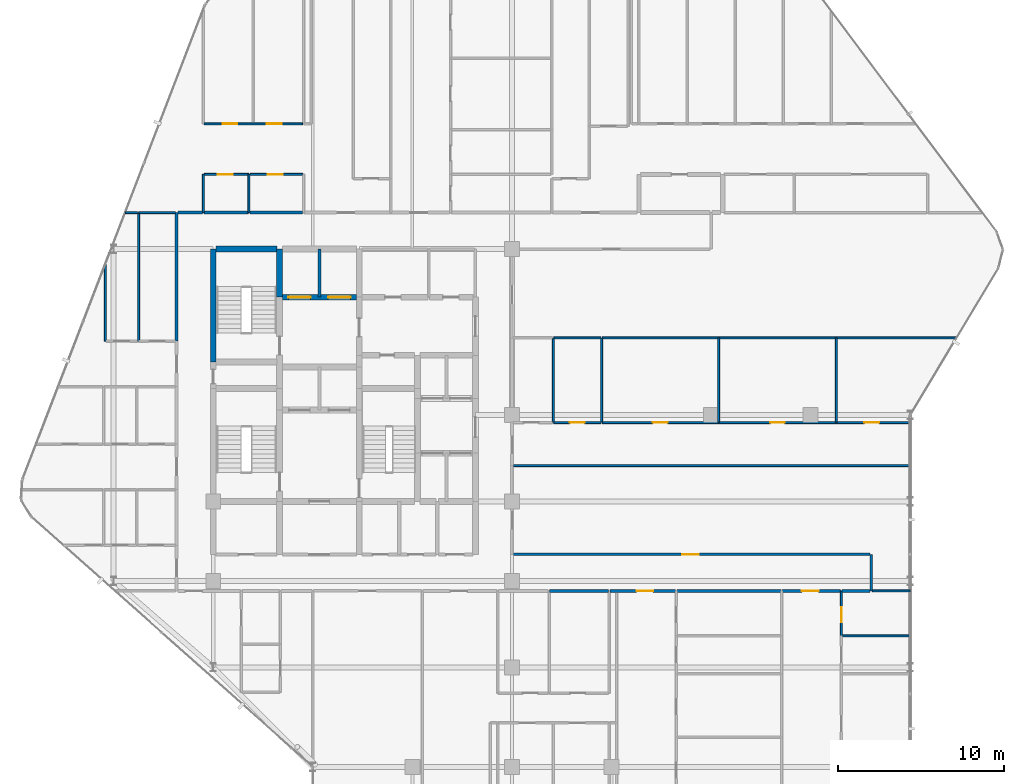
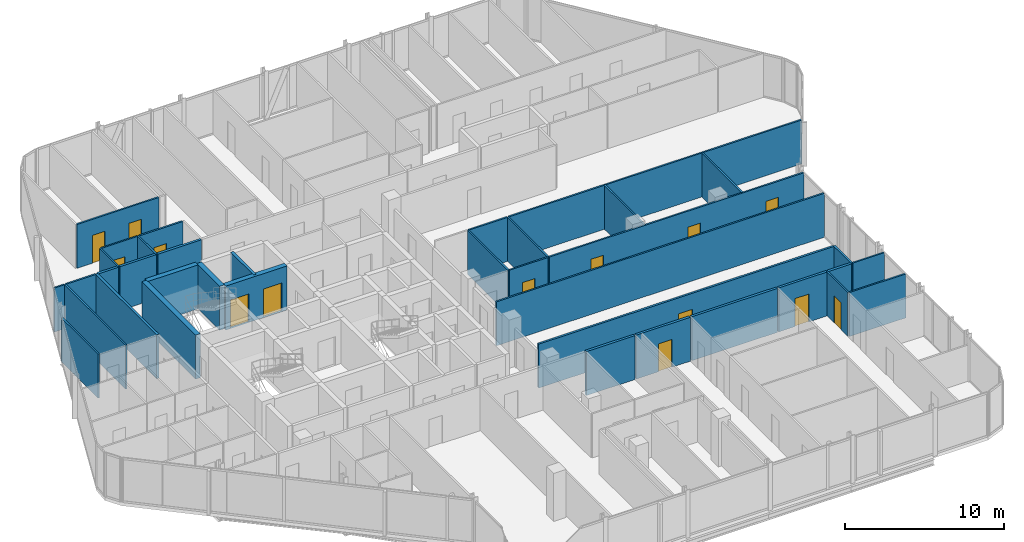
# One storey, part 28 of 31: 37 walls, 14 doors, 14 openings.
"""IFC4 building model written with IfcOpenShell, lengths in metres."""

from ifc_helpers import new_model, si_unit, direction, frame, frame_2d, origin, place, context, subcontext, project, spatial, rectangle, extrude, material, layer, layer_set, type_object, element, fill, save


model = new_model("IFC4")

# Units and contexts
model_context = context("Model", 3, precision=1e-05, world=origin(), true_north=direction((0.0, 1.0)))
body_context = subcontext(model_context, "Body", "Model", "MODEL_VIEW")
ifc_project = project(units=[si_unit("LENGTHUNIT", "METRE"), si_unit("AREAUNIT", "SQUARE_METRE"), si_unit("VOLUMEUNIT", "CUBIC_METRE"), si_unit("PLANEANGLEUNIT", "RADIAN"), si_unit("MASSUNIT", "GRAM", prefix="KILO")], contexts=[model_context])

# Site, building, storey
site_placement = place(None, origin())
site = spatial("IfcSite", under=ifc_project, at=site_placement, CompositionType="ELEMENT")
building_placement = place(site_placement, origin())
building = spatial("IfcBuilding", under=site, at=building_placement, Name="Keshet Zoharim Tower", CompositionType="ELEMENT")
storey_placement = place(building_placement, frame((0.0, 0.0, 133.5)))
storey = spatial("IfcBuildingStorey", under=building, at=storey_placement, Name="L32", CompositionType="ELEMENT", Elevation=133.5)

# Wall
ifc_material_1 = material(Name="Gypsum Plasterboard", Category="gypsum")
ifc_layer_1 = layer(ifc_material_1, 0.14990234375)
ifc_layer_set_1 = layer_set([ifc_layer_1], Name="Gypsum Plasterboard")
wall_type_1 = type_object("IfcWallType", Name="WL-CLIN-150", PredefinedType="STANDARD", material=ifc_layer_set_1)
wall_1_placement = place(storey_placement, frame((54.64990234375, 17.31005859375, 0.0), z_axis=(0.0, 0.0, 1.0), x_axis=(0.0, 1.0, 0.0)))
element("IfcWall", 1, at=wall_1_placement, inside=storey, type_object=wall_type_1, Name="L32 Interior Wall 106", PredefinedType="STANDARD", context=body_context, shape_type="SweptSolid", body=[
    extrude(rectangle(XDim=2.18994140625, YDim=0.14990234375, at=frame_2d((1.094970703125, 0.0))), origin(), (0.0, 0.0, 1.0), 3.385009765625),
])

# Wall, opening, door
wall_2_placement = place(storey_placement, frame((33.070068359375, 19.5, 0.0), z_axis=(0.0, 0.0, 1.0), x_axis=(1.0, 0.0, 0.0)))
wall_2 = element("IfcWall", 2, at=wall_2_placement, inside=storey, type_object=wall_type_1, Name="L32 Interior Wall 139", PredefinedType="STANDARD", context=body_context, shape_type="SweptSolid", body=[
    extrude(rectangle(XDim=21.510009765625, YDim=0.14990234375, at=frame_2d((10.7548828125, 0.0))), origin(), (0.0, 0.0, 1.0), 3.385009765625),
])
opening_1_placement = place(wall_2_placement, frame((10.18505859375, 0.0, 0.0)))
opening_1 = element("IfcOpeningElement", 3, at=opening_1_placement, cuts=wall_2, Name="Opening D-F310", PredefinedType="OPENING", context=body_context, shape_type="SweptSolid", body=[
    extrude(rectangle(XDim=1.0, YDim=2.14990234375, at=frame_2d((0.5, 1.074951171875))), frame((0.0, 0.0849609375, 0.0), z_axis=(0.0, -1.0, 0.0), x_axis=(1.0, 0.0, 0.0)), (0.0, 0.0, 1.0), 0.169921875),
])
ifc_material_2 = material(Name="Hardwood Timber", Category="wood")
door_type_1 = type_object("IfcDoorType", Name="DR-FD30-100", OperationType="NOTDEFINED", PredefinedType="DOOR", material=ifc_material_2)
door_1_placement = place(opening_1_placement, origin())
door_1 = element("IfcDoor", 4, at=door_1_placement, inside=storey, type_object=door_type_1, Name="L32 South East Residents Services Suite Door 1", OperationType="SINGLE_SWING_LEFT", OverallHeight=2.14990234375, OverallWidth=1.0, PredefinedType="DOOR", context=body_context, shape_type="SweptSolid", body=[
    extrude(rectangle(XDim=1.0, YDim=2.14990234375, at=frame_2d((0.5, 1.074951171875))), frame((0.0, 0.02490234375, 0.0), z_axis=(0.0, -1.0, 0.0), x_axis=(1.0, 0.0, 0.0)), (0.0, 0.0, 1.0), 0.050048828125),
])
fill(opening_1, door_1)

# Walls
ifc_material_3 = material(Name="Concrete C60/75", Category="concrete")
ifc_layer_2 = layer(ifc_material_3, 0.35009765625)
ifc_layer_set_2 = layer_set([ifc_layer_2], Name="Concrete C60/75")
wall_type_2 = type_object("IfcWallType", Name="WL-CORE-350", PredefinedType="SHEAR", material=ifc_layer_set_2)
wall_3_placement = place(storey_placement, frame((15.0, 31.10009765625, 0.0), z_axis=(0.0, 0.0, 1.0), x_axis=(0.0, 1.0, 0.0)))
element("IfcWall", 5, at=wall_3_placement, inside=storey, type_object=wall_type_2, Name="L32 Core Shear Wall 018", PredefinedType="SHEAR", context=body_context, shape_type="SweptSolid", body=[
    extrude(rectangle(XDim=6.7998046875, YDim=0.35009765625, at=frame_2d((3.39990234375, 0.0))), origin(), (0.0, 0.0, 1.0), 3.385009765625),
])
wall_4_placement = place(storey_placement, frame((19.0, 35.0, 0.0), z_axis=(0.0, 0.0, 1.0), x_axis=(0.0, 1.0, 0.0)))
element("IfcWall", 6, at=wall_4_placement, inside=storey, type_object=wall_type_2, Name="L32 Core Shear Wall 027", PredefinedType="SHEAR", context=body_context, shape_type="SweptSolid", body=[
    extrude(rectangle(XDim=2.89990234375, YDim=0.35009765625, at=frame_2d((1.449951171875, 0.0))), origin(), (0.0, 0.0, 1.0), 3.385009765625),
])

# Wall, openings, doors
wall_5_placement = place(storey_placement, frame((19.159912109375, 35.0, 0.0), z_axis=(0.0, 0.0, 1.0), x_axis=(1.0, 0.0, 0.0)))
wall_5 = element("IfcWall", 7, at=wall_5_placement, inside=storey, type_object=wall_type_2, Name="L32 Core Shear Wall 175", PredefinedType="SHEAR", context=body_context, shape_type="SweptSolid", body=[
    extrude(rectangle(XDim=4.47998046875, YDim=0.35009765625, at=frame_2d((2.239990234375, 0.0))), origin(), (0.0, 0.0, 1.0), 3.385009765625),
])
opening_2_placement = place(wall_5_placement, frame((0.364990234375, 0.0, 0.0)))
opening_2 = element("IfcOpeningElement", 8, at=opening_2_placement, cuts=wall_5, Name="Opening LD-02", PredefinedType="OPENING", context=body_context, shape_type="SweptSolid", body=[
    extrude(rectangle(XDim=1.35009765625, YDim=2.199951171875, at=frame_2d((0.675048828125, 1.10009765625))), frame((0.0, 0.18505859375, 0.0), z_axis=(0.0, -1.0, 0.0), x_axis=(1.0, 0.0, 0.0)), (0.0, 0.0, 1.0), 0.3701171875),
])
opening_3_placement = place(wall_5_placement, frame((2.764892578125, 0.0, 0.0)))
opening_3 = element("IfcOpeningElement", 9, at=opening_3_placement, cuts=wall_5, Name="Opening LD-02", PredefinedType="OPENING", context=body_context, shape_type="SweptSolid", body=[
    extrude(rectangle(XDim=1.35009765625, YDim=2.199951171875, at=frame_2d((0.675048828125, 1.10009765625))), frame((0.0, 0.18505859375, 0.0), z_axis=(0.0, -1.0, 0.0), x_axis=(1.0, 0.0, 0.0)), (0.0, 0.0, 1.0), 0.3701171875),
])
ifc_material_4 = material(Name="Steel S355", Category="steel")
door_type_2 = type_object("IfcDoorType", Name="DR-LD02-135", OperationType="DOUBLE_DOOR_SLIDING", PredefinedType="DOOR", material=ifc_material_4)
door_2_placement = place(opening_2_placement, origin())
door_2 = element("IfcDoor", 10, at=door_2_placement, inside=storey, type_object=door_type_2, Name="L32 Firefighting Lift Landing Door FF-01", OperationType="DOUBLE_DOOR_SLIDING", OverallHeight=2.199951171875, OverallWidth=1.35009765625, PredefinedType="DOOR", context=body_context, shape_type="SweptSolid", body=[
    extrude(rectangle(XDim=1.35009765625, YDim=2.199951171875, at=frame_2d((0.675048828125, 1.10009765625))), frame((0.0, 0.02490234375, 0.0), z_axis=(0.0, -1.0, 0.0), x_axis=(1.0, 0.0, 0.0)), (0.0, 0.0, 1.0), 0.050048828125),
])
fill(opening_2, door_2)
door_3_placement = place(opening_3_placement, origin())
door_3 = element("IfcDoor", 11, at=door_3_placement, inside=storey, type_object=door_type_2, Name="L32 Firefighting Lift Landing Door FF-02", OperationType="DOUBLE_DOOR_SLIDING", OverallHeight=2.199951171875, OverallWidth=1.35009765625, PredefinedType="DOOR", context=body_context, shape_type="SweptSolid", body=[
    extrude(rectangle(XDim=1.35009765625, YDim=2.199951171875, at=frame_2d((0.675048828125, 1.10009765625))), frame((0.0, 0.02490234375, 0.0), z_axis=(0.0, -1.0, 0.0), x_axis=(1.0, 0.0, 0.0)), (0.0, 0.0, 1.0), 0.050048828125),
])
fill(opening_3, door_3)

# Walls
wall_6_placement = place(storey_placement, frame((15.159912109375, 37.89990234375, 0.0), z_axis=(0.0, 0.0, 1.0), x_axis=(1.0, 0.0, 0.0)))
element("IfcWall", 12, at=wall_6_placement, inside=storey, type_object=wall_type_2, Name="L32 Core Shear Wall 178", PredefinedType="SHEAR", context=body_context, shape_type="SweptSolid", body=[
    extrude(rectangle(XDim=3.68017578125, YDim=0.35009765625, at=frame_2d((1.840087890625, 0.0))), origin(), (0.0, 0.0, 1.0), 3.385009765625),
])
ifc_layer_3 = layer(ifc_material_1, 0.179931640625)
ifc_layer_set_3 = layer_set([ifc_layer_3], Name="Gypsum Plasterboard")
wall_type_3 = type_object("IfcWallType", Name="WL-CORR-180", PredefinedType="STANDARD", material=ifc_layer_set_3)
wall_7_placement = place(storey_placement, frame((12.800048828125, 32.360107421875, 0.0), z_axis=(0.0, 0.0, 1.0), x_axis=(0.0, 1.0, 0.0)))
element("IfcWall", 13, at=wall_7_placement, inside=storey, type_object=wall_type_3, Name="L32 Interior Wall 012", PredefinedType="STANDARD", context=body_context, shape_type="SweptSolid", body=[
    extrude(rectangle(XDim=7.739990234375, YDim=0.179931640625, at=frame_2d((3.8701171875, 0.0))), origin(), (0.0, 0.0, 1.0), 3.385009765625),
])
wall_8_placement = place(storey_placement, frame((35.27197265625, 17.300048828125, 0.0), z_axis=(0.0, 0.0, 1.0), x_axis=(1.0, 0.0, 0.0)))
element("IfcWall", 14, at=wall_8_placement, inside=storey, type_object=wall_type_3, Name="L32 Interior Wall 129", PredefinedType="STANDARD", context=body_context, shape_type="SweptSolid", body=[
    extrude(rectangle(XDim=3.532958984375, YDim=0.179931640625, at=frame_2d((1.7666015625, 0.0))), origin(), (0.0, 0.0, 1.0), 3.385009765625),
])

# Wall, opening, door
wall_9_placement = place(storey_placement, frame((38.89501953125, 17.300048828125, 0.0), z_axis=(0.0, 0.0, 1.0), x_axis=(1.0, 0.0, 0.0)))
wall_9 = element("IfcWall", 15, at=wall_9_placement, inside=storey, type_object=wall_type_3, Name="L32 Interior Wall 130", PredefinedType="STANDARD", context=body_context, shape_type="SweptSolid", body=[
    extrude(rectangle(XDim=3.9599609375, YDim=0.179931640625, at=frame_2d((1.97998046875, 0.0))), origin(), (0.0, 0.0, 1.0), 3.385009765625),
])
opening_4_placement = place(wall_9_placement, frame((1.60888671875, 0.0, 0.0)))
opening_4 = element("IfcOpeningElement", 16, at=opening_4_placement, cuts=wall_9, Name="Opening D-F310", PredefinedType="OPENING", context=body_context, shape_type="SweptSolid", body=[
    extrude(rectangle(XDim=1.0, YDim=2.14990234375, at=frame_2d((0.5, 1.074951171875))), frame((0.0, 0.10009765625, 0.0), z_axis=(0.0, -1.0, 0.0), x_axis=(1.0, 0.0, 0.0)), (0.0, 0.0, 1.0), 0.199951171875),
])
door_4_placement = place(opening_4_placement, origin())
door_4 = element("IfcDoor", 17, at=door_4_placement, inside=storey, type_object=door_type_1, Name="Apartment 3203 Entrance Door", OperationType="SINGLE_SWING_RIGHT", OverallHeight=2.14990234375, OverallWidth=1.0, PredefinedType="DOOR", context=body_context, shape_type="SweptSolid", body=[
    extrude(rectangle(XDim=1.0, YDim=2.14990234375, at=frame_2d((0.5, 1.074951171875))), frame((0.0, 0.02490234375, 0.0), z_axis=(0.0, -1.0, 0.0), x_axis=(1.0, 0.0, 0.0)), (0.0, 0.0, 1.0), 0.050048828125),
])
fill(opening_4, door_4)

# Wall
wall_10_placement = place(storey_placement, frame((42.945068359375, 17.300048828125, 0.0), z_axis=(0.0, 0.0, 1.0), x_axis=(1.0, 0.0, 0.0)))
element("IfcWall", 18, at=wall_10_placement, inside=storey, type_object=wall_type_3, Name="L32 Interior Wall 131", PredefinedType="STANDARD", context=body_context, shape_type="SweptSolid", body=[
    extrude(rectangle(XDim=6.25, YDim=0.179931640625, at=frame_2d((3.125, 0.0))), origin(), (0.0, 0.0, 1.0), 3.385009765625),
])

# Wall, opening, door
wall_11_placement = place(storey_placement, frame((49.284912109375, 17.300048828125, 0.0), z_axis=(0.0, 0.0, 1.0), x_axis=(1.0, 0.0, 0.0)))
wall_11 = element("IfcWall", 19, at=wall_11_placement, inside=storey, type_object=wall_type_3, Name="L32 Interior Wall 132", PredefinedType="STANDARD", context=body_context, shape_type="SweptSolid", body=[
    extrude(rectangle(XDim=3.510009765625, YDim=0.179931640625, at=frame_2d((1.7548828125, 0.0))), origin(), (0.0, 0.0, 1.0), 3.385009765625),
])
opening_5_placement = place(wall_11_placement, frame((1.18505859375, 0.0, 0.0)))
opening_5 = element("IfcOpeningElement", 20, at=opening_5_placement, cuts=wall_11, Name="Opening D-F310", PredefinedType="OPENING", context=body_context, shape_type="SweptSolid", body=[
    extrude(rectangle(XDim=1.0, YDim=2.14990234375, at=frame_2d((0.5, 1.074951171875))), frame((0.0, 0.10009765625, 0.0), z_axis=(0.0, -1.0, 0.0), x_axis=(1.0, 0.0, 0.0)), (0.0, 0.0, 1.0), 0.199951171875),
])
door_5_placement = place(opening_5_placement, origin())
door_5 = element("IfcDoor", 21, at=door_5_placement, inside=storey, type_object=door_type_1, Name="Apartment 3204 Entrance Door", OperationType="SINGLE_SWING_LEFT", OverallHeight=2.14990234375, OverallWidth=1.0, PredefinedType="DOOR", context=body_context, shape_type="SweptSolid", body=[
    extrude(rectangle(XDim=1.0, YDim=2.14990234375, at=frame_2d((0.5, 1.074951171875))), frame((0.0, 0.02490234375, 0.0), z_axis=(0.0, -1.0, 0.0), x_axis=(1.0, 0.0, 0.0)), (0.0, 0.0, 1.0), 0.050048828125),
])
fill(opening_5, door_5)

# Walls
wall_12_placement = place(storey_placement, frame((52.885009765625, 17.300048828125, 0.0), z_axis=(0.0, 0.0, 1.0), x_axis=(1.0, 0.0, 0.0)))
element("IfcWall", 22, at=wall_12_placement, inside=storey, type_object=wall_type_3, Name="L32 Interior Wall 133", PredefinedType="STANDARD", context=body_context, shape_type="SweptSolid", body=[
    extrude(rectangle(XDim=1.695068359375, YDim=0.179931640625, at=frame_2d((0.84765625, 0.0))), origin(), (0.0, 0.0, 1.0), 3.385009765625),
])
wall_13_placement = place(storey_placement, frame((12.875, 40.10009765625, 0.0), z_axis=(0.0, 0.0, 1.0), x_axis=(1.0, 0.0, 0.0)))
element("IfcWall", 23, at=wall_13_placement, inside=storey, type_object=wall_type_3, Name="L32 Interior Wall 185", PredefinedType="STANDARD", context=body_context, shape_type="SweptSolid", body=[
    extrude(rectangle(XDim=1.47998046875, YDim=0.179931640625, at=frame_2d((0.739990234375, 0.0))), origin(), (0.0, 0.0, 1.0), 3.385009765625),
])
wall_14_placement = place(storey_placement, frame((14.445068359375, 40.10009765625, 0.0), z_axis=(0.0, 0.0, 1.0), x_axis=(1.0, 0.0, 0.0)))
element("IfcWall", 24, at=wall_14_placement, inside=storey, type_object=wall_type_3, Name="L32 Interior Wall 186", PredefinedType="STANDARD", context=body_context, shape_type="SweptSolid", body=[
    extrude(rectangle(XDim=2.683837890625, YDim=0.179931640625, at=frame_2d((1.341796875, 0.0))), origin(), (0.0, 0.0, 1.0), 3.385009765625),
])
wall_15_placement = place(storey_placement, frame((17.218994140625, 40.10009765625, 0.0), z_axis=(0.0, 0.0, 1.0), x_axis=(1.0, 0.0, 0.0)))
element("IfcWall", 25, at=wall_15_placement, inside=storey, type_object=wall_type_3, Name="L32 Interior Wall 187", PredefinedType="STANDARD", context=body_context, shape_type="SweptSolid", body=[
    extrude(rectangle(XDim=3.166015625, YDim=0.179931640625, at=frame_2d((1.5830078125, 0.0))), origin(), (0.0, 0.0, 1.0), 3.385009765625),
])
ifc_material_5 = material(Name="Concrete C50/60", Category="concrete")
ifc_layer_4 = layer(ifc_material_5, 0.199951171875)
ifc_layer_set_4 = layer_set([ifc_layer_4], Name="Concrete C50/60")
wall_type_4 = type_object("IfcWallType", Name="WL-FIRE-200", PredefinedType="STANDARD", material=ifc_layer_set_4)
wall_16_placement = place(storey_placement, frame((21.39990234375, 35.0, 0.0), z_axis=(0.0, 0.0, 1.0), x_axis=(0.0, 1.0, 0.0)))
element("IfcWall", 26, at=wall_16_placement, inside=storey, type_object=wall_type_4, Name="L32 Interior Wall 035", PredefinedType="STANDARD", context=body_context, shape_type="SweptSolid", body=[
    extrude(rectangle(XDim=2.89990234375, YDim=0.199951171875, at=frame_2d((1.449951171875, 0.0))), origin(), (0.0, 0.0, 1.0), 3.385009765625),
])
ifc_layer_5 = layer(ifc_material_1, 0.1201171875)
ifc_layer_set_5 = layer_set([ifc_layer_5], Name="Gypsum Plasterboard")
wall_type_5 = type_object("IfcWallType", Name="WL-PART-120", PredefinedType="PARTITIONING", material=ifc_layer_set_5)
wall_17_placement = place(storey_placement, frame((8.5, 32.360107421875, 0.0), z_axis=(0.0, 0.0, 1.0), x_axis=(0.0, 1.0, 0.0)))
element("IfcWall", 27, at=wall_17_placement, inside=storey, type_object=wall_type_5, Name="L32 Interior Wall 003", PredefinedType="PARTITIONING", context=body_context, shape_type="SweptSolid", body=[
    extrude(rectangle(XDim=4.6298828125, YDim=0.1201171875, at=frame_2d((2.31494140625, 0.0))), origin(), (0.0, 0.0, 1.0), 3.385009765625),
])
wall_18_placement = place(storey_placement, frame((14.39990234375, 40.10009765625, 0.0), z_axis=(0.0, 0.0, 1.0), x_axis=(0.0, 1.0, 0.0)))
element("IfcWall", 28, at=wall_18_placement, inside=storey, type_object=wall_type_5, Name="L32 Interior Wall 013", PredefinedType="PARTITIONING", context=body_context, shape_type="SweptSolid", body=[
    extrude(rectangle(XDim=2.2998046875, YDim=0.1201171875, at=frame_2d((1.14990234375, 0.0))), origin(), (0.0, 0.0, 1.0), 3.385009765625),
])
for number, where, z_axis, x_axis, name in (
    (29, (45.449951171875, 27.469970703125, 0.0), (0.0, 0.0, 1.0), (0.0, 1.0, 0.0), "L32 Interior Wall 093"),
    (30, (52.550048828125, 27.469970703125, 0.0), (0.0, 0.0, 1.0), (0.0, 1.0, 0.0), "L32 Interior Wall 102"),
):
    element("IfcWall", number, at=place(storey_placement, frame(where, z_axis=z_axis, x_axis=x_axis)), inside=storey, type_object=wall_type_5, Name=name, PredefinedType="PARTITIONING", context=body_context, shape_type="SweptSolid", body=[
        extrude(rectangle(XDim=5.070068359375, YDim=0.1201171875, at=frame_2d((2.53515625, 0.0))), origin(), (0.0, 0.0, 1.0), 3.385009765625),
    ])
wall_19_placement = place(storey_placement, frame((33.0849609375, 24.85009765625, 0.0), z_axis=(0.0, 0.0, 1.0), x_axis=(1.0, 0.0, 0.0)))
element("IfcWall", 31, at=wall_19_placement, inside=storey, type_object=wall_type_5, Name="L32 Interior Wall 151", PredefinedType="PARTITIONING", context=body_context, shape_type="SweptSolid", body=[
    extrude(rectangle(XDim=23.905029296875, YDim=0.1201171875, at=frame_2d((11.95263671875, 0.0))), origin(), (0.0, 0.0, 1.0), 3.385009765625),
])

# Wall, openings, doors
wall_20_placement = place(storey_placement, frame((38.445068359375, 27.449951171875, 0.0), z_axis=(0.0, 0.0, 1.0), x_axis=(1.0, 0.0, 0.0)))
wall_20 = element("IfcWall", 32, at=wall_20_placement, inside=storey, type_object=wall_type_5, Name="L32 Interior Wall 158", PredefinedType="PARTITIONING", context=body_context, shape_type="SweptSolid", body=[
    extrude(rectangle(XDim=18.544921875, YDim=0.1201171875, at=frame_2d((9.2724609375, 0.0))), origin(), (0.0, 0.0, 1.0), 3.385009765625),
])
opening_6_placement = place(wall_20_placement, frame((3.0419921875, 0.0, 0.0)))
opening_6 = element("IfcOpeningElement", 33, at=opening_6_placement, cuts=wall_20, Name="Opening D-IN90", PredefinedType="OPENING", context=body_context, shape_type="SweptSolid", body=[
    extrude(rectangle(XDim=0.89990234375, YDim=2.14990234375, at=frame_2d((0.449951171875, 1.074951171875))), frame((0.0, 0.070068359375, 0.0), z_axis=(0.0, -1.0, 0.0), x_axis=(1.0, 0.0, 0.0)), (0.0, 0.0, 1.0), 0.14013671875),
])
opening_7_placement = place(wall_20_placement, frame((10.10302734375, 0.0, 0.0)))
opening_7 = element("IfcOpeningElement", 34, at=opening_7_placement, cuts=wall_20, Name="Opening D-IN90", PredefinedType="OPENING", context=body_context, shape_type="SweptSolid", body=[
    extrude(rectangle(XDim=0.89990234375, YDim=2.14990234375, at=frame_2d((0.449951171875, 1.074951171875))), frame((0.0, 0.070068359375, 0.0), z_axis=(0.0, -1.0, 0.0), x_axis=(1.0, 0.0, 0.0)), (0.0, 0.0, 1.0), 0.14013671875),
])
opening_8_placement = place(wall_20_placement, frame((15.791015625, 0.0, 0.0)))
opening_8 = element("IfcOpeningElement", 35, at=opening_8_placement, cuts=wall_20, Name="Opening D-IN90", PredefinedType="OPENING", context=body_context, shape_type="SweptSolid", body=[
    extrude(rectangle(XDim=0.89990234375, YDim=2.14990234375, at=frame_2d((0.449951171875, 1.074951171875))), frame((0.0, 0.070068359375, 0.0), z_axis=(0.0, -1.0, 0.0), x_axis=(1.0, 0.0, 0.0)), (0.0, 0.0, 1.0), 0.14013671875),
])
door_type_3 = type_object("IfcDoorType", Name="DR-INT-090", OperationType="NOTDEFINED", PredefinedType="DOOR", material=ifc_material_2)
door_6_placement = place(opening_6_placement, origin())
door_6 = element("IfcDoor", 36, at=door_6_placement, inside=storey, type_object=door_type_3, Name="Apartment 3211 Bedroom 1 Door", OperationType="SINGLE_SWING_LEFT", OverallHeight=2.14990234375, OverallWidth=0.89990234375, PredefinedType="DOOR", context=body_context, shape_type="SweptSolid", body=[
    extrude(rectangle(XDim=0.89990234375, YDim=2.14990234375, at=frame_2d((0.449951171875, 1.074951171875))), frame((0.0, 0.02490234375, 0.0), z_axis=(0.0, -1.0, 0.0), x_axis=(1.0, 0.0, 0.0)), (0.0, 0.0, 1.0), 0.050048828125),
])
fill(opening_6, door_6)
door_7_placement = place(opening_7_placement, origin())
door_7 = element("IfcDoor", 37, at=door_7_placement, inside=storey, type_object=door_type_3, Name="Apartment 3211 Bedroom 2 Door", OperationType="SINGLE_SWING_RIGHT", OverallHeight=2.14990234375, OverallWidth=0.89990234375, PredefinedType="DOOR", context=body_context, shape_type="SweptSolid", body=[
    extrude(rectangle(XDim=0.89990234375, YDim=2.14990234375, at=frame_2d((0.449951171875, 1.074951171875))), frame((0.0, 0.02490234375, 0.0), z_axis=(0.0, -1.0, 0.0), x_axis=(1.0, 0.0, 0.0)), (0.0, 0.0, 1.0), 0.050048828125),
])
fill(opening_7, door_7)
door_8_placement = place(opening_8_placement, origin())
door_8 = element("IfcDoor", 38, at=door_8_placement, inside=storey, type_object=door_type_3, Name="Apartment 3211 Bedroom 3 Door", OperationType="SINGLE_SWING_LEFT", OverallHeight=2.14990234375, OverallWidth=0.89990234375, PredefinedType="DOOR", context=body_context, shape_type="SweptSolid", body=[
    extrude(rectangle(XDim=0.89990234375, YDim=2.14990234375, at=frame_2d((0.449951171875, 1.074951171875))), frame((0.0, 0.02490234375, 0.0), z_axis=(0.0, -1.0, 0.0), x_axis=(1.0, 0.0, 0.0)), (0.0, 0.0, 1.0), 0.050048828125),
])
fill(opening_8, door_8)

# Walls
wall_21_placement = place(storey_placement, frame((38.445068359375, 32.550048828125, 0.0), z_axis=(0.0, 0.0, 1.0), x_axis=(1.0, 0.0, 0.0)))
element("IfcWall", 39, at=wall_21_placement, inside=storey, type_object=wall_type_5, Name="L32 Interior Wall 174", PredefinedType="PARTITIONING", context=body_context, shape_type="SweptSolid", body=[
    extrude(rectangle(XDim=21.3349609375, YDim=0.1201171875, at=frame_2d((10.66748046875, 0.0))), origin(), (0.0, 0.0, 1.0), 3.385009765625),
])
wall_22_placement = place(storey_placement, frame((9.701904296875, 40.10009765625, 0.0), z_axis=(0.0, 0.0, 1.0), x_axis=(1.0, 0.0, 0.0)))
element("IfcWall", 40, at=wall_22_placement, inside=storey, type_object=wall_type_5, Name="L32 Interior Wall 183", PredefinedType="PARTITIONING", context=body_context, shape_type="SweptSolid", body=[
    extrude(rectangle(XDim=0.731201171875, YDim=0.1201171875, at=frame_2d((0.36572265625, 0.0))), origin(), (0.0, 0.0, 1.0), 3.385009765625),
])

# Wall, opening, door
wall_23_placement = place(storey_placement, frame((14.445068359375, 42.39990234375, 0.0), z_axis=(0.0, 0.0, 1.0), x_axis=(1.0, 0.0, 0.0)))
wall_23 = element("IfcWall", 41, at=wall_23_placement, inside=storey, type_object=wall_type_5, Name="L32 Interior Wall 198", PredefinedType="PARTITIONING", context=body_context, shape_type="SweptSolid", body=[
    extrude(rectangle(XDim=2.683837890625, YDim=0.1201171875, at=frame_2d((1.341796875, 0.0))), origin(), (0.0, 0.0, 1.0), 3.385009765625),
])
opening_9_placement = place(wall_23_placement, frame((0.81689453125, 0.0, 0.0)))
opening_9 = element("IfcOpeningElement", 42, at=opening_9_placement, cuts=wall_23, Name="Opening D-IN90", PredefinedType="OPENING", context=body_context, shape_type="SweptSolid", body=[
    extrude(rectangle(XDim=0.89990234375, YDim=2.14990234375, at=frame_2d((0.449951171875, 1.074951171875))), frame((0.0, 0.070068359375, 0.0), z_axis=(0.0, -1.0, 0.0), x_axis=(1.0, 0.0, 0.0)), (0.0, 0.0, 1.0), 0.14013671875),
])
door_9_placement = place(opening_9_placement, origin())
door_9 = element("IfcDoor", 43, at=door_9_placement, inside=storey, type_object=door_type_3, Name="Apartment 3205 Kitchen Door", OperationType="SINGLE_SWING_LEFT", OverallHeight=2.14990234375, OverallWidth=0.89990234375, PredefinedType="DOOR", context=body_context, shape_type="SweptSolid", body=[
    extrude(rectangle(XDim=0.89990234375, YDim=2.14990234375, at=frame_2d((0.449951171875, 1.074951171875))), frame((0.0, 0.02490234375, 0.0), z_axis=(0.0, -1.0, 0.0), x_axis=(1.0, 0.0, 0.0)), (0.0, 0.0, 1.0), 0.050048828125),
])
fill(opening_9, door_9)

# Wall, openings, doors
wall_24_placement = place(storey_placement, frame((14.445068359375, 45.449951171875, 0.0), z_axis=(0.0, 0.0, 1.0), x_axis=(1.0, 0.0, 0.0)))
wall_24 = element("IfcWall", 44, at=wall_24_placement, inside=storey, type_object=wall_type_5, Name="L32 Interior Wall 206", PredefinedType="PARTITIONING", context=body_context, shape_type="SweptSolid", body=[
    extrude(rectangle(XDim=5.93994140625, YDim=0.1201171875, at=frame_2d((2.969970703125, 0.0))), origin(), (0.0, 0.0, 1.0), 3.385009765625),
])
opening_10_placement = place(wall_24_placement, frame((1.116943359375, 0.0, 0.0)))
opening_10 = element("IfcOpeningElement", 45, at=opening_10_placement, cuts=wall_24, Name="Opening D-IN90", PredefinedType="OPENING", context=body_context, shape_type="SweptSolid", body=[
    extrude(rectangle(XDim=0.89990234375, YDim=2.14990234375, at=frame_2d((0.449951171875, 1.074951171875))), frame((0.0, 0.070068359375, 0.0), z_axis=(0.0, -1.0, 0.0), x_axis=(1.0, 0.0, 0.0)), (0.0, 0.0, 1.0), 0.14013671875),
])
opening_11_placement = place(wall_24_placement, frame((3.781982421875, 0.0, 0.0)))
opening_11 = element("IfcOpeningElement", 46, at=opening_11_placement, cuts=wall_24, Name="Opening D-IN90", PredefinedType="OPENING", context=body_context, shape_type="SweptSolid", body=[
    extrude(rectangle(XDim=0.89990234375, YDim=2.14990234375, at=frame_2d((0.449951171875, 1.074951171875))), frame((0.0, 0.070068359375, 0.0), z_axis=(0.0, -1.0, 0.0), x_axis=(1.0, 0.0, 0.0)), (0.0, 0.0, 1.0), 0.14013671875),
])
door_10_placement = place(opening_10_placement, origin())
door_10 = element("IfcDoor", 47, at=door_10_placement, inside=storey, type_object=door_type_3, Name="Apartment 3205 Bedroom 1 Door", OperationType="SINGLE_SWING_LEFT", OverallHeight=2.14990234375, OverallWidth=0.89990234375, PredefinedType="DOOR", context=body_context, shape_type="SweptSolid", body=[
    extrude(rectangle(XDim=0.89990234375, YDim=2.14990234375, at=frame_2d((0.449951171875, 1.074951171875))), frame((0.0, 0.02490234375, 0.0), z_axis=(0.0, -1.0, 0.0), x_axis=(1.0, 0.0, 0.0)), (0.0, 0.0, 1.0), 0.050048828125),
])
fill(opening_10, door_10)
door_11_placement = place(opening_11_placement, origin())
door_11 = element("IfcDoor", 48, at=door_11_placement, inside=storey, type_object=door_type_3, Name="Apartment 3205 Bedroom 2 Door", OperationType="SINGLE_SWING_RIGHT", OverallHeight=2.14990234375, OverallWidth=0.89990234375, PredefinedType="DOOR", context=body_context, shape_type="SweptSolid", body=[
    extrude(rectangle(XDim=0.89990234375, YDim=2.14990234375, at=frame_2d((0.449951171875, 1.074951171875))), frame((0.0, 0.02490234375, 0.0), z_axis=(0.0, -1.0, 0.0), x_axis=(1.0, 0.0, 0.0)), (0.0, 0.0, 1.0), 0.050048828125),
])
fill(opening_11, door_11)

# Walls
ifc_layer_6 = layer(ifc_material_1, 0.1201171875)
ifc_layer_set_6 = layer_set([ifc_layer_6], Name="Gypsum Plasterboard")
wall_type_6 = type_object("IfcWallType", Name="WL-WET-120", PredefinedType="PARTITIONING", material=ifc_layer_set_6)
wall_25_placement = place(storey_placement, frame((10.5, 32.360107421875, 0.0), z_axis=(0.0, 0.0, 1.0), x_axis=(0.0, 1.0, 0.0)))
element("IfcWall", 49, at=wall_25_placement, inside=storey, type_object=wall_type_6, Name="L32 Interior Wall 006", PredefinedType="PARTITIONING", context=body_context, shape_type="SweptSolid", body=[
    extrude(rectangle(XDim=7.739990234375, YDim=0.1201171875, at=frame_2d((3.8701171875, 0.0))), origin(), (0.0, 0.0, 1.0), 3.385009765625),
])
wall_26_placement = place(storey_placement, frame((17.14990234375, 40.10009765625, 0.0), z_axis=(0.0, 0.0, 1.0), x_axis=(0.0, 1.0, 0.0)))
element("IfcWall", 50, at=wall_26_placement, inside=storey, type_object=wall_type_6, Name="L32 Interior Wall 021", PredefinedType="PARTITIONING", context=body_context, shape_type="SweptSolid", body=[
    extrude(rectangle(XDim=2.2998046875, YDim=0.1201171875, at=frame_2d((1.14990234375, 0.0))), origin(), (0.0, 0.0, 1.0), 3.385009765625),
])
for number, where, z_axis, x_axis, name in (
    (51, (35.5, 27.469970703125, 0.0), (0.0, 0.0, 1.0), (0.0, 1.0, 0.0), "L32 Interior Wall 077"),
    (52, (38.39990234375, 27.469970703125, 0.0), (0.0, 0.0, 1.0), (0.0, 1.0, 0.0), "L32 Interior Wall 080"),
):
    element("IfcWall", number, at=place(storey_placement, frame(where, z_axis=z_axis, x_axis=x_axis)), inside=storey, type_object=wall_type_6, Name=name, PredefinedType="PARTITIONING", context=body_context, shape_type="SweptSolid", body=[
        extrude(rectangle(XDim=5.070068359375, YDim=0.1201171875, at=frame_2d((2.53515625, 0.0))), origin(), (0.0, 0.0, 1.0), 3.385009765625),
    ])

# Wall, opening, door
wall_27_placement = place(storey_placement, frame((52.85009765625, 14.60009765625, 0.0), z_axis=(0.0, 0.0, 1.0), x_axis=(0.0, 1.0, 0.0)))
wall_27 = element("IfcWall", 53, at=wall_27_placement, inside=storey, type_object=wall_type_6, Name="L32 Interior Wall 105", PredefinedType="PARTITIONING", context=body_context, shape_type="SweptSolid", body=[
    extrude(rectangle(XDim=2.699951171875, YDim=0.1201171875, at=frame_2d((1.35009765625, 0.0))), origin(), (0.0, 0.0, 1.0), 3.385009765625),
])
opening_12_placement = place(wall_27_placement, frame((0.827880859375, 0.0, 0.0)))
opening_12 = element("IfcOpeningElement", 54, at=opening_12_placement, cuts=wall_27, Name="Opening D-WT90", PredefinedType="OPENING", context=body_context, shape_type="SweptSolid", body=[
    extrude(rectangle(XDim=0.89990234375, YDim=2.10009765625, at=frame_2d((0.449951171875, 1.050048828125))), frame((0.0, 0.070068359375, 0.0), z_axis=(0.0, -1.0, 0.0), x_axis=(1.0, 0.0, 0.0)), (0.0, 0.0, 1.0), 0.14013671875),
])
door_type_4 = type_object("IfcDoorType", Name="DR-WET-090", OperationType="NOTDEFINED", PredefinedType="DOOR", material=ifc_material_2)
door_12_placement = place(opening_12_placement, origin())
door_12 = element("IfcDoor", 55, at=door_12_placement, inside=storey, type_object=door_type_4, Name="Apartment 3204 Bathroom Door", OperationType="SINGLE_SWING_RIGHT", OverallHeight=2.10009765625, OverallWidth=0.89990234375, PredefinedType="DOOR", context=body_context, shape_type="SweptSolid", body=[
    extrude(rectangle(XDim=0.89990234375, YDim=2.10009765625, at=frame_2d((0.449951171875, 1.050048828125))), frame((0.0, 0.02490234375, 0.0), z_axis=(0.0, -1.0, 0.0), x_axis=(1.0, 0.0, 0.0)), (0.0, 0.0, 1.0), 0.050048828125),
])
fill(opening_12, door_12)

# Walls
wall_28_placement = place(storey_placement, frame((52.885009765625, 14.60009765625, 0.0), z_axis=(0.0, 0.0, 1.0), x_axis=(1.0, 0.0, 0.0)))
element("IfcWall", 56, at=wall_28_placement, inside=storey, type_object=wall_type_6, Name="L32 Interior Wall 121", PredefinedType="PARTITIONING", context=body_context, shape_type="SweptSolid", body=[
    extrude(rectangle(XDim=4.10498046875, YDim=0.1201171875, at=frame_2d((2.052490234375, 0.0))), origin(), (0.0, 0.0, 1.0), 3.385009765625),
])
wall_29_placement = place(storey_placement, frame((54.7099609375, 17.300048828125, 0.0), z_axis=(0.0, 0.0, 1.0), x_axis=(1.0, 0.0, 0.0)))
element("IfcWall", 57, at=wall_29_placement, inside=storey, type_object=wall_type_6, Name="L32 Interior Wall 134", PredefinedType="PARTITIONING", context=body_context, shape_type="SweptSolid", body=[
    extrude(rectangle(XDim=2.280029296875, YDim=0.1201171875, at=frame_2d((1.14013671875, 0.0))), origin(), (0.0, 0.0, 1.0), 3.385009765625),
])

# Wall, opening, door
wall_30_placement = place(storey_placement, frame((35.529052734375, 27.449951171875, 0.0), z_axis=(0.0, 0.0, 1.0), x_axis=(1.0, 0.0, 0.0)))
wall_30 = element("IfcWall", 58, at=wall_30_placement, inside=storey, type_object=wall_type_6, Name="L32 Interior Wall 157", PredefinedType="PARTITIONING", context=body_context, shape_type="SweptSolid", body=[
    extrude(rectangle(XDim=2.825927734375, YDim=0.1201171875, at=frame_2d((1.4130859375, 0.0))), origin(), (0.0, 0.0, 1.0), 3.385009765625),
])
opening_13_placement = place(wall_30_placement, frame((0.962890625, 0.0, 0.0)))
opening_13 = element("IfcOpeningElement", 59, at=opening_13_placement, cuts=wall_30, Name="Opening D-WT90", PredefinedType="OPENING", context=body_context, shape_type="SweptSolid", body=[
    extrude(rectangle(XDim=0.89990234375, YDim=2.10009765625, at=frame_2d((0.449951171875, 1.050048828125))), frame((0.0, 0.070068359375, 0.0), z_axis=(0.0, -1.0, 0.0), x_axis=(1.0, 0.0, 0.0)), (0.0, 0.0, 1.0), 0.14013671875),
])
door_13_placement = place(opening_13_placement, origin())
door_13 = element("IfcDoor", 60, at=door_13_placement, inside=storey, type_object=door_type_4, Name="Apartment 3211 Bathroom Door", OperationType="SINGLE_SWING_RIGHT", OverallHeight=2.10009765625, OverallWidth=0.89990234375, PredefinedType="DOOR", context=body_context, shape_type="SweptSolid", body=[
    extrude(rectangle(XDim=0.89990234375, YDim=2.10009765625, at=frame_2d((0.449951171875, 1.050048828125))), frame((0.0, 0.02490234375, 0.0), z_axis=(0.0, -1.0, 0.0), x_axis=(1.0, 0.0, 0.0)), (0.0, 0.0, 1.0), 0.050048828125),
])
fill(opening_13, door_13)

# Walls
wall_31_placement = place(storey_placement, frame((35.529052734375, 32.550048828125, 0.0), z_axis=(0.0, 0.0, 1.0), x_axis=(1.0, 0.0, 0.0)))
element("IfcWall", 61, at=wall_31_placement, inside=storey, type_object=wall_type_6, Name="L32 Interior Wall 173", PredefinedType="PARTITIONING", context=body_context, shape_type="SweptSolid", body=[
    extrude(rectangle(XDim=2.825927734375, YDim=0.1201171875, at=frame_2d((1.4130859375, 0.0))), origin(), (0.0, 0.0, 1.0), 3.385009765625),
])
wall_32_placement = place(storey_placement, frame((10.52294921875, 40.10009765625, 0.0), z_axis=(0.0, 0.0, 1.0), x_axis=(1.0, 0.0, 0.0)))
element("IfcWall", 62, at=wall_32_placement, inside=storey, type_object=wall_type_6, Name="L32 Interior Wall 184", PredefinedType="PARTITIONING", context=body_context, shape_type="SweptSolid", body=[
    extrude(rectangle(XDim=2.2021484375, YDim=0.1201171875, at=frame_2d((1.10107421875, 0.0))), origin(), (0.0, 0.0, 1.0), 3.385009765625),
])

# Wall, opening, door
wall_33_placement = place(storey_placement, frame((17.218994140625, 42.39990234375, 0.0), z_axis=(0.0, 0.0, 1.0), x_axis=(1.0, 0.0, 0.0)))
wall_33 = element("IfcWall", 63, at=wall_33_placement, inside=storey, type_object=wall_type_6, Name="L32 Interior Wall 199", PredefinedType="PARTITIONING", context=body_context, shape_type="SweptSolid", body=[
    extrude(rectangle(XDim=3.166015625, YDim=0.1201171875, at=frame_2d((1.5830078125, 0.0))), origin(), (0.0, 0.0, 1.0), 3.385009765625),
])
opening_14_placement = place(wall_33_placement, frame((1.06201171875, 0.0, 0.0)))
opening_14 = element("IfcOpeningElement", 64, at=opening_14_placement, cuts=wall_33, Name="Opening D-WT90", PredefinedType="OPENING", context=body_context, shape_type="SweptSolid", body=[
    extrude(rectangle(XDim=0.89990234375, YDim=2.10009765625, at=frame_2d((0.449951171875, 1.050048828125))), frame((0.0, 0.070068359375, 0.0), z_axis=(0.0, -1.0, 0.0), x_axis=(1.0, 0.0, 0.0)), (0.0, 0.0, 1.0), 0.14013671875),
])
door_14_placement = place(opening_14_placement, origin())
door_14 = element("IfcDoor", 65, at=door_14_placement, inside=storey, type_object=door_type_4, Name="Apartment 3205 Bathroom Door", OperationType="SINGLE_SWING_RIGHT", OverallHeight=2.10009765625, OverallWidth=0.89990234375, PredefinedType="DOOR", context=body_context, shape_type="SweptSolid", body=[
    extrude(rectangle(XDim=0.89990234375, YDim=2.10009765625, at=frame_2d((0.449951171875, 1.050048828125))), frame((0.0, 0.02490234375, 0.0), z_axis=(0.0, -1.0, 0.0), x_axis=(1.0, 0.0, 0.0)), (0.0, 0.0, 1.0), 0.050048828125),
])
fill(opening_14, door_14)

save(model, "model.ifc")
